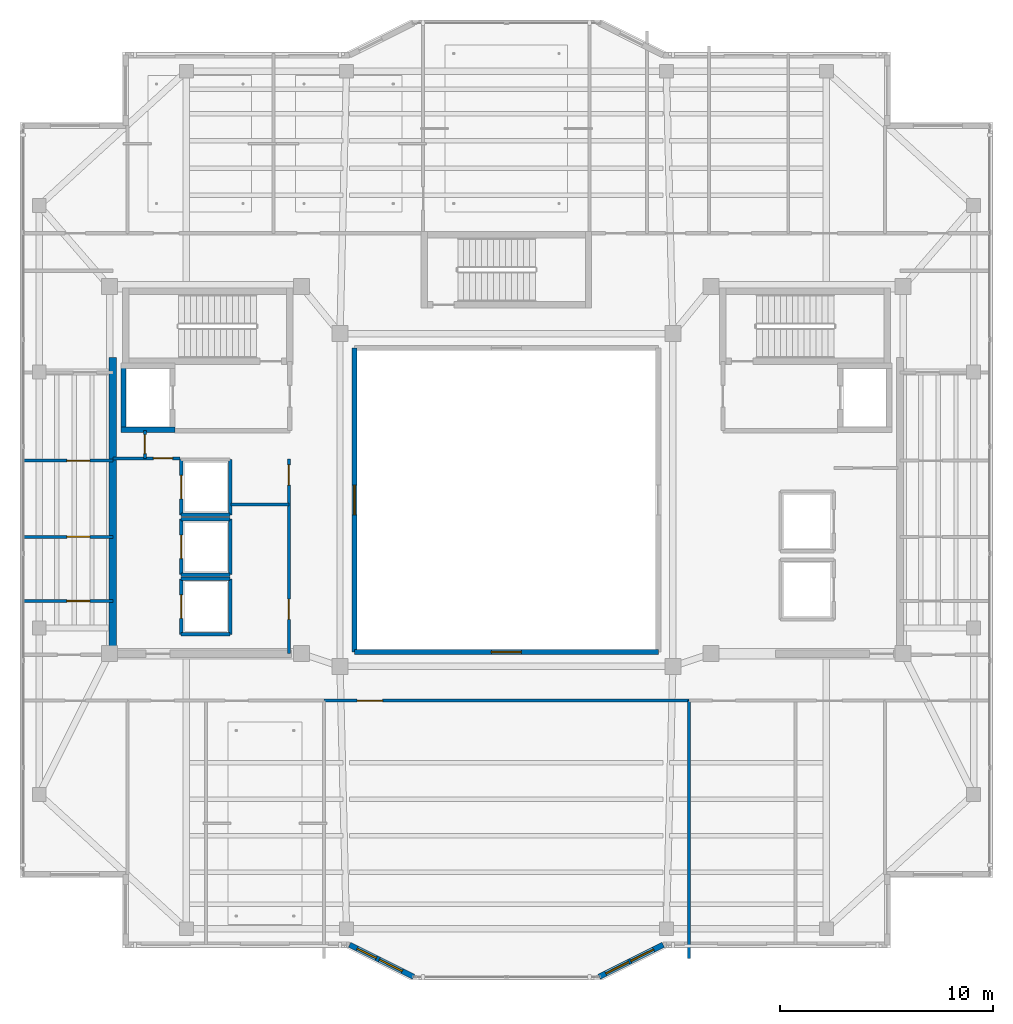
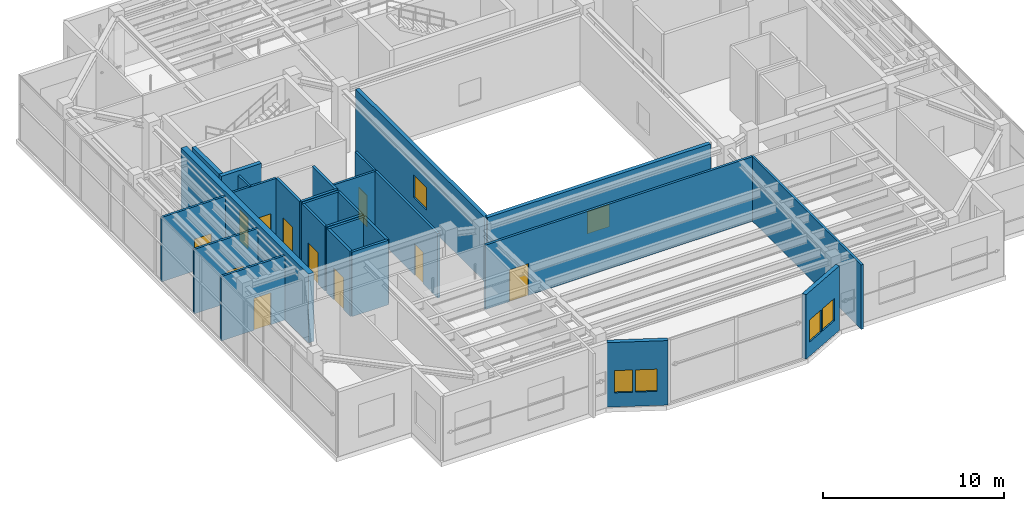
# One storey, part 14 of 25: 27 walls, 11 doors, 6 windows, 17 openings.
"""IFC4 building model written with IfcOpenShell, lengths in metres."""

from ifc_helpers import new_model, si_unit, direction, frame, frame_2d, origin, place, context, subcontext, project, spatial, rectangle, extrude, material, layer, layer_set, type_object, element, fill, save


model = new_model("IFC4")

# Units and contexts
model_context = context("Model", 3, precision=1e-05, world=origin(), true_north=direction((0.0, 1.0)))
body_context = subcontext(model_context, "Body", "Model", "MODEL_VIEW")
ifc_project = project(units=[si_unit("LENGTHUNIT", "METRE"), si_unit("AREAUNIT", "SQUARE_METRE"), si_unit("VOLUMEUNIT", "CUBIC_METRE"), si_unit("PLANEANGLEUNIT", "RADIAN"), si_unit("MASSUNIT", "GRAM", prefix="KILO")], contexts=[model_context])

# Site, building, storey
site_placement = place(None, origin())
site = spatial("IfcSite", under=ifc_project, at=site_placement, CompositionType="ELEMENT")
building_placement = place(site_placement, origin())
building = spatial("IfcBuilding", under=site, at=building_placement, Name="Tarnavaz Court Tower", CompositionType="ELEMENT")
storey_placement = place(building_placement, frame((0.0, 0.0, 271.64990234375)))
storey = spatial("IfcBuildingStorey", under=building, at=storey_placement, Name="L74", CompositionType="ELEMENT", Elevation=271.64990234375)

# Walls
ifc_material_1 = material(Name="Concrete C50/60", Category="concrete")
ifc_layer_1 = layer(ifc_material_1, 0.25)
ifc_layer_set_1 = layer_set([ifc_layer_1], Name="Concrete C50/60")
wall_type_1 = type_object("IfcWallType", Name="WL-CORE-250-C50", PredefinedType="SHEAR", material=ifc_layer_set_1)
wall_1_placement = place(storey_placement, frame((-17.949951171875, 3.175048828125, 0.0), z_axis=(0.0, 0.0, 1.0), x_axis=(0.0, 1.0, 0.0)))
element("IfcWall", 1, at=wall_1_placement, inside=storey, type_object=wall_type_1, Name="L74 Lift FL-W1 Shaft Wall 017", PredefinedType="SHEAR", context=body_context, shape_type="SweptSolid", body=[
    extrude(rectangle(XDim=3.25, YDim=0.25, at=frame_2d((1.625, 0.0))), origin(), (0.0, 0.0, 1.0), 4.650146484375),
])
wall_2_placement = place(storey_placement, frame((-18.074951171875, 3.300048828125, 0.0), z_axis=(0.0, 0.0, 1.0), x_axis=(1.0, 0.0, 0.0)))
element("IfcWall", 2, at=wall_2_placement, inside=storey, type_object=wall_type_1, Name="L74 Lift FL-W1 Shaft Wall 019", PredefinedType="SHEAR", context=body_context, shape_type="SweptSolid", body=[
    extrude(rectangle(XDim=2.550048828125, YDim=0.25, at=frame_2d((1.27490234375, 0.0))), origin(), (0.0, 0.0, 1.0), 4.650146484375),
])
ifc_layer_2 = layer(ifc_material_1, 0.35009765625)
ifc_layer_set_2 = layer_set([ifc_layer_2], Name="Concrete C50/60")
wall_type_2 = type_object("IfcWallType", Name="WL-CORE-350-C50", PredefinedType="SHEAR", material=ifc_layer_set_2)
wall_3_placement = place(storey_placement, frame((-18.449951171875, -7.375, 0.0), z_axis=(0.0, 0.0, 1.0), x_axis=(0.0, 1.0, 0.0)))
element("IfcWall", 3, at=wall_3_placement, inside=storey, type_object=wall_type_2, Name="L74 West Core Shear Wall 045", PredefinedType="SHEAR", context=body_context, shape_type="SweptSolid", body=[
    extrude(rectangle(XDim=14.050048828125, YDim=0.35009765625, at=frame_2d((7.02490234375, 0.0))), origin(), (0.0, 0.0, 1.0), 4.650146484375),
])

# Wall, openings, windows
ifc_material_2 = material(Name="Precast Concrete C40/50", Category="concrete")
ifc_layer_3 = layer(ifc_material_2, 0.260009765625)
ifc_layer_set_3 = layer_set([ifc_layer_3], Name="Precast Concrete C40/50")
wall_type_3 = type_object("IfcWallType", Name="WL-EXT-260", PredefinedType="SOLIDWALL", material=ifc_layer_set_3)
wall_4_placement = place(storey_placement, frame((7.35009765625, -20.85009765625, 0.0), z_axis=(0.0, 0.0, 1.0), x_axis=(-0.894427191, -0.4472135955, 0.0)))
wall_4 = element("IfcWall", 4, at=wall_4_placement, inside=storey, type_object=wall_type_3, Name="L74 Exterior Terracotta Facade Wall 16", PredefinedType="SOLIDWALL", context=body_context, shape_type="SweptSolid", body=[
    extrude(rectangle(XDim=3.35400390625, YDim=0.260009765625, at=frame_2d((1.677001953125, 0.0))), origin(), (0.0, 0.0, 1.0), 4.35009765625),
])
opening_1_placement = place(wall_4_placement, frame((0.501220703125, 0.0, 0.949951171875)))
opening_1 = element("IfcOpeningElement", 5, at=opening_1_placement, cuts=wall_4, Name="Opening W05", PredefinedType="OPENING", context=body_context, shape_type="SweptSolid", body=[
    extrude(rectangle(XDim=1.199951171875, YDim=1.5, at=frame_2d((0.60009765625, 0.75))), frame((0.0, 0.139892578125, 0.0), z_axis=(0.0, -1.0, 0.0), x_axis=(1.0, 0.0, 0.0)), (0.0, 0.0, 1.0), 0.280029296875),
])
opening_2_placement = place(wall_4_placement, frame((1.8076171875, 0.0, 0.949951171875)))
opening_2 = element("IfcOpeningElement", 6, at=opening_2_placement, cuts=wall_4, Name="Opening W05", PredefinedType="OPENING", context=body_context, shape_type="SweptSolid", body=[
    extrude(rectangle(XDim=1.199951171875, YDim=1.5, at=frame_2d((0.60009765625, 0.75))), frame((0.0, 0.139892578125, 0.0), z_axis=(0.0, -1.0, 0.0), x_axis=(1.0, 0.0, 0.0)), (0.0, 0.0, 1.0), 0.280029296875),
])
ifc_material_3 = material(Name="Double-Glazed Solar Low-E Glass", Category="glass")
window_type_1 = type_object("IfcWindowType", Name="WN-APT-1200", PartitioningType="SINGLE_PANEL", PredefinedType="WINDOW", material=ifc_material_3)
window_1_placement = place(opening_1_placement, origin())
window_1 = element("IfcWindow", 7, at=window_1_placement, inside=storey, type_object=window_type_1, Name="L74 L74 Central Iwan Cultural Exhibition Hall Window", OverallHeight=1.5, OverallWidth=1.199951171875, PartitioningType="SINGLE_PANEL", PredefinedType="WINDOW", context=body_context, shape_type="SweptSolid", body=[
    extrude(rectangle(XDim=1.199951171875, YDim=1.5, at=frame_2d((0.60009765625, 0.75))), frame((0.0, 0.030029296875, 0.0), z_axis=(0.0, -1.0, 0.0), x_axis=(1.0, 0.0, 0.0)), (0.0, 0.0, 1.0), 0.06005859375),
])
fill(opening_1, window_1)
window_2_placement = place(opening_2_placement, origin())
window_2 = element("IfcWindow", 8, at=window_2_placement, inside=storey, type_object=window_type_1, Name="L74 L74 South Iwan Lookout Prow Window", OverallHeight=1.5, OverallWidth=1.199951171875, PartitioningType="SINGLE_PANEL", PredefinedType="WINDOW", context=body_context, shape_type="SweptSolid", body=[
    extrude(rectangle(XDim=1.199951171875, YDim=1.5, at=frame_2d((0.60009765625, 0.75))), frame((0.0, 0.030029296875, 0.0), z_axis=(0.0, -1.0, 0.0), x_axis=(1.0, 0.0, 0.0)), (0.0, 0.0, 1.0), 0.06005859375),
])
fill(opening_2, window_2)

wall_5_placement = place(storey_placement, frame((-4.35009765625, -22.35009765625, 0.0), z_axis=(0.0, 0.0, 1.0), x_axis=(-0.894427191, 0.4472135955, 0.0)))
wall_5 = element("IfcWall", 9, at=wall_5_placement, inside=storey, type_object=wall_type_3, Name="L74 Exterior Terracotta Facade Wall 18", PredefinedType="SOLIDWALL", context=body_context, shape_type="SweptSolid", body=[
    extrude(rectangle(XDim=3.35400390625, YDim=0.260009765625, at=frame_2d((1.677001953125, 0.0))), origin(), (0.0, 0.0, 1.0), 4.35009765625),
])
opening_3_placement = place(wall_5_placement, frame((0.596435546875, 0.0, 0.949951171875)))
opening_3 = element("IfcOpeningElement", 10, at=opening_3_placement, cuts=wall_5, Name="Opening W05", PredefinedType="OPENING", context=body_context, shape_type="SweptSolid", body=[
    extrude(rectangle(XDim=1.199951171875, YDim=1.5, at=frame_2d((0.60009765625, 0.75))), frame((0.0, 0.139892578125, 0.0), z_axis=(0.0, -1.0, 0.0), x_axis=(1.0, 0.0, 0.0)), (0.0, 0.0, 1.0), 0.280029296875),
])
opening_4_placement = place(wall_5_placement, frame((1.955322265625, 0.0, 0.949951171875)))
opening_4 = element("IfcOpeningElement", 11, at=opening_4_placement, cuts=wall_5, Name="Opening W14", PredefinedType="OPENING", context=body_context, shape_type="SweptSolid", body=[
    extrude(rectangle(XDim=1.0, YDim=1.5, at=frame_2d((0.5, 0.75))), frame((0.0, 0.139892578125, 0.0), z_axis=(0.0, -1.0, 0.0), x_axis=(1.0, 0.0, 0.0)), (0.0, 0.0, 1.0), 0.280029296875),
])
window_type_2 = type_object("IfcWindowType", Name="WN-APT-1000", PartitioningType="SINGLE_PANEL", PredefinedType="WINDOW", material=ifc_material_3)
window_3_placement = place(opening_4_placement, origin())
window_3 = element("IfcWindow", 12, at=window_3_placement, inside=storey, type_object=window_type_2, Name="L74 L74 Central Iwan Cultural Exhibition Hall Window", OverallHeight=1.5, OverallWidth=1.0, PartitioningType="SINGLE_PANEL", PredefinedType="WINDOW", context=body_context, shape_type="SweptSolid", body=[
    extrude(rectangle(XDim=1.0, YDim=1.5, at=frame_2d((0.5, 0.75))), frame((0.0, 0.030029296875, 0.0), z_axis=(0.0, -1.0, 0.0), x_axis=(1.0, 0.0, 0.0)), (0.0, 0.0, 1.0), 0.06005859375),
])
fill(opening_4, window_3)
window_4_placement = place(opening_3_placement, origin())
window_4 = element("IfcWindow", 13, at=window_4_placement, inside=storey, type_object=window_type_1, Name="L74 L74 South Iwan Lookout Prow Window", OverallHeight=1.5, OverallWidth=1.199951171875, PartitioningType="SINGLE_PANEL", PredefinedType="WINDOW", context=body_context, shape_type="SweptSolid", body=[
    extrude(rectangle(XDim=1.199951171875, YDim=1.5, at=frame_2d((0.60009765625, 0.75))), frame((0.0, 0.030029296875, 0.0), z_axis=(0.0, -1.0, 0.0), x_axis=(1.0, 0.0, 0.0)), (0.0, 0.0, 1.0), 0.06005859375),
])
fill(opening_3, window_4)

# Wall, opening, door
ifc_material_4 = material(Name="Gypsum Fire-Board on Acoustic Metal Stud", Category="masonry")
ifc_layer_4 = layer(ifc_material_4, 0.14990234375)
ifc_layer_set_4 = layer_set([ifc_layer_4], Name="Gypsum Fire-Board on Acoustic Metal Stud")
wall_type_4 = type_object("IfcWallType", Name="WL-FIRE-150", PredefinedType="PARTITIONING", material=ifc_layer_set_4)
wall_6_placement = place(storey_placement, frame((-8.550048828125, -9.39990234375, 0.0), z_axis=(0.0, 0.0, 1.0), x_axis=(1.0, 0.0, 0.0)))
wall_6 = element("IfcWall", 14, at=wall_6_placement, inside=storey, type_object=wall_type_4, Name="L74 Interior Partition 068", PredefinedType="PARTITIONING", context=body_context, shape_type="SweptSolid", body=[
    extrude(rectangle(XDim=17.10009765625, YDim=0.14990234375, at=frame_2d((8.550048828125, 0.0))), origin(), (0.0, 0.0, 1.0), 4.35009765625),
])
opening_5_placement = place(wall_6_placement, frame((1.550048828125, 0.0, 0.0)))
opening_5 = element("IfcOpeningElement", 15, at=opening_5_placement, cuts=wall_6, Name="Opening D11", PredefinedType="OPENING", context=body_context, shape_type="SweptSolid", body=[
    extrude(rectangle(XDim=1.199951171875, YDim=2.14990234375, at=frame_2d((0.60009765625, 1.074951171875))), frame((0.0, 0.0849609375, 0.0), z_axis=(0.0, -1.0, 0.0), x_axis=(1.0, 0.0, 0.0)), (0.0, 0.0, 1.0), 0.169921875),
])
ifc_material_5 = material(Name="Engineered Oak Timber", Category="wood")
door_type_1 = type_object("IfcDoorType", Name="DR-INT-1200", OperationType="NOTDEFINED", PredefinedType="DOOR", material=ifc_material_5)
door_1_placement = place(opening_5_placement, origin())
door_1 = element("IfcDoor", 16, at=door_1_placement, inside=storey, type_object=door_type_1, Name="L74 Central Iwan Hall Door", OperationType="SINGLE_SWING_LEFT", OverallHeight=2.14990234375, OverallWidth=1.199951171875, PredefinedType="DOOR", context=body_context, shape_type="SweptSolid", body=[
    extrude(rectangle(XDim=1.199951171875, YDim=2.14990234375, at=frame_2d((0.60009765625, 1.074951171875))), frame((0.0, 0.02490234375, 0.0), z_axis=(0.0, -1.0, 0.0), x_axis=(1.0, 0.0, 0.0)), (0.0, 0.0, 1.0), 0.050048828125),
])
fill(opening_5, door_1)

ifc_material_6 = material(Name="Gypsum Plasterboard Acoustic Partition", Category="masonry")
ifc_layer_5 = layer(ifc_material_6, 0.139892578125)
ifc_layer_set_5 = layer_set([ifc_layer_5], Name="Gypsum Plasterboard Acoustic Partition")
wall_type_5 = type_object("IfcWallType", Name="WL-PART-150", PredefinedType="PARTITIONING", material=ifc_layer_set_5)
wall_7_placement = place(storey_placement, frame((-18.449951171875, 1.949951171875, 0.0), z_axis=(0.0, 0.0, 1.0), x_axis=(1.0, 0.0, 0.0)))
wall_7 = element("IfcWall", 17, at=wall_7_placement, inside=storey, type_object=wall_type_5, Name="L74 Interior Partition 049", PredefinedType="PARTITIONING", context=body_context, shape_type="SweptSolid", body=[
    extrude(rectangle(XDim=3.14990234375, YDim=0.139892578125, at=frame_2d((1.574951171875, 0.0))), origin(), (0.0, 0.0, 1.0), 4.35009765625),
])
opening_6_placement = place(wall_7_placement, frame((1.89990234375, 0.0, 0.0)))
opening_6 = element("IfcOpeningElement", 18, at=opening_6_placement, cuts=wall_7, Name="Opening D09", PredefinedType="OPENING", context=body_context, shape_type="SweptSolid", body=[
    extrude(rectangle(XDim=0.89990234375, YDim=2.080078125, at=frame_2d((0.449951171875, 1.0400390625))), frame((0.0, 0.079833984375, 0.0), z_axis=(0.0, -1.0, 0.0), x_axis=(1.0, 0.0, 0.0)), (0.0, 0.0, 1.0), 0.159912109375),
])
ifc_material_7 = material(Name="Fire-Rated Hardwood Timber Core", Category="wood")
door_type_2 = type_object("IfcDoorType", Name="DR-FD30-900", OperationType="NOTDEFINED", PredefinedType="DOOR", material=ifc_material_7)
door_2_placement = place(opening_6_placement, origin())
door_2 = element("IfcDoor", 19, at=door_2_placement, inside=storey, type_object=door_type_2, Name="L74 West Sky Store Door", OperationType="SINGLE_SWING_RIGHT", OverallHeight=2.080078125, OverallWidth=0.89990234375, PredefinedType="DOOR", context=body_context, shape_type="SweptSolid", body=[
    extrude(rectangle(XDim=0.89990234375, YDim=2.080078125, at=frame_2d((0.449951171875, 1.0400390625))), frame((0.0, 0.02490234375, 0.0), z_axis=(0.0, -1.0, 0.0), x_axis=(1.0, 0.0, 0.0)), (0.0, 0.0, 1.0), 0.050048828125),
])
fill(opening_6, door_2)

wall_8_placement = place(storey_placement, frame((-16.949951171875, 1.949951171875, 0.0), z_axis=(0.0, 0.0, 1.0), x_axis=(0.0, 1.0, 0.0)))
wall_8 = element("IfcWall", 20, at=wall_8_placement, inside=storey, type_object=wall_type_5, Name="L74 Interior Partition 050", PredefinedType="PARTITIONING", context=body_context, shape_type="SweptSolid", body=[
    extrude(rectangle(XDim=1.300048828125, YDim=0.139892578125, at=frame_2d((0.64990234375, 0.0))), origin(), (0.0, 0.0, 1.0), 4.35009765625),
])
opening_7_placement = place(wall_8_placement, frame((0.219970703125, 0.0, 0.0)))
opening_7 = element("IfcOpeningElement", 21, at=opening_7_placement, cuts=wall_8, Name="Opening D09", PredefinedType="OPENING", context=body_context, shape_type="SweptSolid", body=[
    extrude(rectangle(XDim=0.89990234375, YDim=2.080078125, at=frame_2d((0.449951171875, 1.0400390625))), frame((0.0, 0.079833984375, 0.0), z_axis=(0.0, -1.0, 0.0), x_axis=(1.0, 0.0, 0.0)), (0.0, 0.0, 1.0), 0.159912109375),
])
door_3_placement = place(opening_7_placement, origin())
door_3 = element("IfcDoor", 22, at=door_3_placement, inside=storey, type_object=door_type_2, Name="L74 West Sky BMS Room Door", OperationType="SINGLE_SWING_LEFT", OverallHeight=2.080078125, OverallWidth=0.89990234375, PredefinedType="DOOR", context=body_context, shape_type="SweptSolid", body=[
    extrude(rectangle(XDim=0.89990234375, YDim=2.080078125, at=frame_2d((0.449951171875, 1.0400390625))), frame((0.0, 0.02490234375, 0.0), z_axis=(0.0, -1.0, 0.0), x_axis=(1.0, 0.0, 0.0)), (0.0, 0.0, 1.0), 0.050048828125),
])
fill(opening_7, door_3)

# Wall, openings, doors
wall_9_placement = place(storey_placement, frame((-10.199951171875, -7.199951171875, 0.0), z_axis=(0.0, 0.0, 1.0), x_axis=(0.0, 1.0, 0.0)))
wall_9 = element("IfcWall", 23, at=wall_9_placement, inside=storey, type_object=wall_type_5, Name="L74 West Reclaimed Core Wall 051", PredefinedType="PARTITIONING", context=body_context, shape_type="SweptSolid", body=[
    extrude(rectangle(XDim=9.119873046875, YDim=0.139892578125, at=frame_2d((4.56005859375, 0.0))), origin(), (0.0, 0.0, 1.0), 4.35009765625),
])
opening_8_placement = place(wall_9_placement, frame((1.60009765625, 0.0, 0.0)))
opening_8 = element("IfcOpeningElement", 24, at=opening_8_placement, cuts=wall_9, Name="Opening D08", PredefinedType="OPENING", context=body_context, shape_type="SweptSolid", body=[
    extrude(rectangle(XDim=0.949951171875, YDim=2.1201171875, at=frame_2d((0.47509765625, 1.06005859375))), frame((0.0, 0.079833984375, 0.0), z_axis=(0.0, -1.0, 0.0), x_axis=(1.0, 0.0, 0.0)), (0.0, 0.0, 1.0), 0.159912109375),
])
opening_9_placement = place(wall_9_placement, frame((7.89990234375, 0.0, 0.0)))
opening_9 = element("IfcOpeningElement", 25, at=opening_9_placement, cuts=wall_9, Name="Opening D08", PredefinedType="OPENING", context=body_context, shape_type="SweptSolid", body=[
    extrude(rectangle(XDim=0.949951171875, YDim=2.1201171875, at=frame_2d((0.47509765625, 1.06005859375))), frame((0.0, 0.079833984375, 0.0), z_axis=(0.0, -1.0, 0.0), x_axis=(1.0, 0.0, 0.0)), (0.0, 0.0, 1.0), 0.159912109375),
])
door_type_3 = type_object("IfcDoorType", Name="DR-FD30-950", OperationType="NOTDEFINED", PredefinedType="DOOR", material=ifc_material_7)
door_4_placement = place(opening_8_placement, origin())
door_4 = element("IfcDoor", 26, at=door_4_placement, inside=storey, type_object=door_type_3, Name="L74 West Study Room Door", OperationType="SINGLE_SWING_RIGHT", OverallHeight=2.1201171875, OverallWidth=0.949951171875, PredefinedType="DOOR", context=body_context, shape_type="SweptSolid", body=[
    extrude(rectangle(XDim=0.949951171875, YDim=2.1201171875, at=frame_2d((0.47509765625, 1.06005859375))), frame((0.0, 0.02490234375, 0.0), z_axis=(0.0, -1.0, 0.0), x_axis=(1.0, 0.0, 0.0)), (0.0, 0.0, 1.0), 0.050048828125),
])
fill(opening_8, door_4)
door_5_placement = place(opening_9_placement, origin())
door_5 = element("IfcDoor", 27, at=door_5_placement, inside=storey, type_object=door_type_3, Name="L74 West Laundry Room Door", OperationType="SINGLE_SWING_LEFT", OverallHeight=2.1201171875, OverallWidth=0.949951171875, PredefinedType="DOOR", context=body_context, shape_type="SweptSolid", body=[
    extrude(rectangle(XDim=0.949951171875, YDim=2.1201171875, at=frame_2d((0.47509765625, 1.06005859375))), frame((0.0, 0.02490234375, 0.0), z_axis=(0.0, -1.0, 0.0), x_axis=(1.0, 0.0, 0.0)), (0.0, 0.0, 1.0), 0.050048828125),
])
fill(opening_9, door_5)

# Walls
wall_10_placement = place(storey_placement, frame((-12.89990234375, -0.199951171875, 0.0), z_axis=(0.0, 0.0, 1.0), x_axis=(1.0, 0.0, 0.0)))
element("IfcWall", 28, at=wall_10_placement, inside=storey, type_object=wall_type_5, Name="L74 Interior Partition 052", PredefinedType="PARTITIONING", context=body_context, shape_type="SweptSolid", body=[
    extrude(rectangle(XDim=2.699951171875, YDim=0.139892578125, at=frame_2d((1.35009765625, 0.0))), origin(), (0.0, 0.0, 1.0), 4.35009765625),
])
wall_11_placement = place(storey_placement, frame((8.550048828125, -21.50390625, 0.0), z_axis=(0.0, 0.0, 1.0), x_axis=(0.0, 1.0, 0.0)))
element("IfcWall", 29, at=wall_11_placement, inside=storey, type_object=wall_type_5, Name="L74 Interior Partition 066", PredefinedType="PARTITIONING", context=body_context, shape_type="SweptSolid", body=[
    extrude(rectangle(XDim=12.10400390625, YDim=0.139892578125, at=frame_2d((6.052001953125, 0.0))), origin(), (0.0, 0.0, 1.0), 4.35009765625),
])

# Wall, opening, door
wall_12_placement = place(storey_placement, frame((-22.679931640625, -4.73291015625, 0.0), z_axis=(0.0, 0.0, 1.0), x_axis=(1.0, 0.0, 0.0)))
wall_12 = element("IfcWall", 30, at=wall_12_placement, inside=storey, type_object=wall_type_5, Name="L74 Interior Partition 081", PredefinedType="PARTITIONING", context=body_context, shape_type="SweptSolid", body=[
    extrude(rectangle(XDim=4.22998046875, YDim=0.139892578125, at=frame_2d((2.114990234375, 0.0))), origin(), (0.0, 0.0, 1.0), 4.35009765625),
])
opening_10_placement = place(wall_12_placement, frame((2.080078125, 0.0, 0.0)))
opening_10 = element("IfcOpeningElement", 31, at=opening_10_placement, cuts=wall_12, Name="Opening D12", PredefinedType="OPENING", context=body_context, shape_type="SweptSolid", body=[
    extrude(rectangle(XDim=1.080078125, YDim=2.14990234375, at=frame_2d((0.5400390625, 1.074951171875))), frame((0.0, 0.079833984375, 0.0), z_axis=(0.0, -1.0, 0.0), x_axis=(1.0, 0.0, 0.0)), (0.0, 0.0, 1.0), 0.159912109375),
])
door_type_4 = type_object("IfcDoorType", Name="DR-INT-1100", OperationType="NOTDEFINED", PredefinedType="DOOR", material=ifc_material_5)
door_6_placement = place(opening_10_placement, origin())
door_6 = element("IfcDoor", 32, at=door_6_placement, inside=storey, type_object=door_type_4, Name="L74 West Suite Room 2 Door", OperationType="SINGLE_SWING_LEFT", OverallHeight=2.14990234375, OverallWidth=1.080078125, PredefinedType="DOOR", context=body_context, shape_type="SweptSolid", body=[
    extrude(rectangle(XDim=1.080078125, YDim=2.14990234375, at=frame_2d((0.5400390625, 1.074951171875))), frame((0.0, 0.02490234375, 0.0), z_axis=(0.0, -1.0, 0.0), x_axis=(1.0, 0.0, 0.0)), (0.0, 0.0, 1.0), 0.050048828125),
])
fill(opening_10, door_6)

wall_13_placement = place(storey_placement, frame((-22.679931640625, -1.72412109375, 0.0), z_axis=(0.0, 0.0, 1.0), x_axis=(1.0, 0.0, 0.0)))
wall_13 = element("IfcWall", 33, at=wall_13_placement, inside=storey, type_object=wall_type_5, Name="L74 Interior Partition 082", PredefinedType="PARTITIONING", context=body_context, shape_type="SweptSolid", body=[
    extrude(rectangle(XDim=4.22998046875, YDim=0.139892578125, at=frame_2d((2.114990234375, 0.0))), origin(), (0.0, 0.0, 1.0), 4.35009765625),
])
opening_11_placement = place(wall_13_placement, frame((2.080078125, 0.0, 0.0)))
opening_11 = element("IfcOpeningElement", 34, at=opening_11_placement, cuts=wall_13, Name="Opening D12", PredefinedType="OPENING", context=body_context, shape_type="SweptSolid", body=[
    extrude(rectangle(XDim=1.080078125, YDim=2.14990234375, at=frame_2d((0.5400390625, 1.074951171875))), frame((0.0, 0.079833984375, 0.0), z_axis=(0.0, -1.0, 0.0), x_axis=(1.0, 0.0, 0.0)), (0.0, 0.0, 1.0), 0.159912109375),
])
door_7_placement = place(opening_11_placement, origin())
door_7 = element("IfcDoor", 35, at=door_7_placement, inside=storey, type_object=door_type_4, Name="L74 West Suite Room 3 Door", OperationType="SINGLE_SWING_RIGHT", OverallHeight=2.14990234375, OverallWidth=1.080078125, PredefinedType="DOOR", context=body_context, shape_type="SweptSolid", body=[
    extrude(rectangle(XDim=1.080078125, YDim=2.14990234375, at=frame_2d((0.5400390625, 1.074951171875))), frame((0.0, 0.02490234375, 0.0), z_axis=(0.0, -1.0, 0.0), x_axis=(1.0, 0.0, 0.0)), (0.0, 0.0, 1.0), 0.050048828125),
])
fill(opening_11, door_7)

wall_14_placement = place(storey_placement, frame((-22.679931640625, 1.847900390625, 0.0), z_axis=(0.0, 0.0, 1.0), x_axis=(1.0, 0.0, 0.0)))
wall_14 = element("IfcWall", 36, at=wall_14_placement, inside=storey, type_object=wall_type_5, Name="L74 Interior Partition 083", PredefinedType="PARTITIONING", context=body_context, shape_type="SweptSolid", body=[
    extrude(rectangle(XDim=4.22998046875, YDim=0.139892578125, at=frame_2d((2.114990234375, 0.0))), origin(), (0.0, 0.0, 1.0), 4.35009765625),
])
opening_12_placement = place(wall_14_placement, frame((2.080078125, 0.0, 0.0)))
opening_12 = element("IfcOpeningElement", 37, at=opening_12_placement, cuts=wall_14, Name="Opening D12", PredefinedType="OPENING", context=body_context, shape_type="SweptSolid", body=[
    extrude(rectangle(XDim=1.080078125, YDim=2.14990234375, at=frame_2d((0.5400390625, 1.074951171875))), frame((0.0, 0.079833984375, 0.0), z_axis=(0.0, -1.0, 0.0), x_axis=(1.0, 0.0, 0.0)), (0.0, 0.0, 1.0), 0.159912109375),
])
door_8_placement = place(opening_12_placement, origin())
door_8 = element("IfcDoor", 38, at=door_8_placement, inside=storey, type_object=door_type_4, Name="L74 West Suite Room 4 Door", OperationType="SINGLE_SWING_LEFT", OverallHeight=2.14990234375, OverallWidth=1.080078125, PredefinedType="DOOR", context=body_context, shape_type="SweptSolid", body=[
    extrude(rectangle(XDim=1.080078125, YDim=2.14990234375, at=frame_2d((0.5400390625, 1.074951171875))), frame((0.0, 0.02490234375, 0.0), z_axis=(0.0, -1.0, 0.0), x_axis=(1.0, 0.0, 0.0)), (0.0, 0.0, 1.0), 0.050048828125),
])
fill(opening_12, door_8)

ifc_material_8 = material(Name="Autoclaved Aerated Concrete Blockwork", Category="masonry")
ifc_layer_6 = layer(ifc_material_8, 0.159912109375)
ifc_layer_set_6 = layer_set([ifc_layer_6], Name="Autoclaved Aerated Concrete Blockwork")
wall_type_6 = type_object("IfcWallType", Name="WL-SHAFT-150", PredefinedType="SOLIDWALL", material=ifc_layer_set_6)
wall_15_placement = place(storey_placement, frame((-15.25, -6.300048828125, 0.0), z_axis=(0.0, 0.0, 1.0), x_axis=(0.0, 1.0, 0.0)))
wall_15 = element("IfcWall", 39, at=wall_15_placement, inside=storey, type_object=wall_type_6, Name="L74 Lift PL-H1 Shaft Wall 021", PredefinedType="SOLIDWALL", context=body_context, shape_type="SweptSolid", body=[
    extrude(rectangle(XDim=2.60009765625, YDim=0.159912109375, at=frame_2d((1.300048828125, 0.0))), origin(), (0.0, 0.0, 1.0), 4.35009765625),
])
opening_13_placement = place(wall_15_placement, frame((0.75, 0.0, 0.0)))
opening_13 = element("IfcOpeningElement", 40, at=opening_13_placement, cuts=wall_15, Name="Opening LD1", PredefinedType="OPENING", context=body_context, shape_type="SweptSolid", body=[
    extrude(rectangle(XDim=1.10009765625, YDim=2.14990234375, at=frame_2d((0.550048828125, 1.074951171875))), frame((0.0, 0.08984375, 0.0), z_axis=(0.0, -1.0, 0.0), x_axis=(1.0, 0.0, 0.0)), (0.0, 0.0, 1.0), 0.179931640625),
])
ifc_material_9 = material(Name="Stainless Steel", Category="steel")
door_type_5 = type_object("IfcDoorType", Name="DR-LD-1100", OperationType="NOTDEFINED", PredefinedType="DOOR", material=ifc_material_9)
door_9_placement = place(opening_13_placement, origin())
door_9 = element("IfcDoor", 41, at=door_9_placement, inside=storey, type_object=door_type_5, Name="L74 Lift Landing Door LD-PL-H1", OperationType="SLIDING_TO_LEFT", OverallHeight=2.14990234375, OverallWidth=1.10009765625, PredefinedType="DOOR", context=body_context, shape_type="SweptSolid", body=[
    extrude(rectangle(XDim=1.10009765625, YDim=2.14990234375, at=frame_2d((0.550048828125, 1.074951171875))), frame((0.0, 0.02490234375, 0.0), z_axis=(0.0, -1.0, 0.0), x_axis=(1.0, 0.0, 0.0)), (0.0, 0.0, 1.0), 0.050048828125),
])
fill(opening_13, door_9)

# Walls
wall_16_placement = place(storey_placement, frame((-12.949951171875, -6.300048828125, 0.0), z_axis=(0.0, 0.0, 1.0), x_axis=(0.0, 1.0, 0.0)))
element("IfcWall", 42, at=wall_16_placement, inside=storey, type_object=wall_type_6, Name="L74 Lift PL-H1 Shaft Wall 022", PredefinedType="SOLIDWALL", context=body_context, shape_type="SweptSolid", body=[
    extrude(rectangle(XDim=2.60009765625, YDim=0.159912109375, at=frame_2d((1.300048828125, 0.0))), origin(), (0.0, 0.0, 1.0), 4.35009765625),
])
for number, where, z_axis, x_axis, name in (
    (43, (-15.25, -6.300048828125, 0.0), (0.0, 0.0, 1.0), (1.0, 0.0, 0.0), "L74 Lift PL-H1 Shaft Wall 023"),
    (44, (-15.25, -3.699951171875, 0.0), (0.0, 0.0, 1.0), (1.0, 0.0, 0.0), "L74 Lift PL-H1 Shaft Wall 024"),
):
    element("IfcWall", number, at=place(storey_placement, frame(where, z_axis=z_axis, x_axis=x_axis)), inside=storey, type_object=wall_type_6, Name=name, PredefinedType="SOLIDWALL", context=body_context, shape_type="SweptSolid", body=[
        extrude(rectangle(XDim=2.300048828125, YDim=0.159912109375, at=frame_2d((1.14990234375, 0.0))), origin(), (0.0, 0.0, 1.0), 4.35009765625),
    ])

# Wall, opening, door
wall_17_placement = place(storey_placement, frame((-15.25, -3.5, 0.0), z_axis=(0.0, 0.0, 1.0), x_axis=(0.0, 1.0, 0.0)))
wall_17 = element("IfcWall", 45, at=wall_17_placement, inside=storey, type_object=wall_type_6, Name="L74 Lift PL-H2 Shaft Wall 025", PredefinedType="SOLIDWALL", context=body_context, shape_type="SweptSolid", body=[
    extrude(rectangle(XDim=2.60009765625, YDim=0.159912109375, at=frame_2d((1.300048828125, 0.0))), origin(), (0.0, 0.0, 1.0), 4.35009765625),
])
opening_14_placement = place(wall_17_placement, frame((0.75, 0.0, 0.0)))
opening_14 = element("IfcOpeningElement", 46, at=opening_14_placement, cuts=wall_17, Name="Opening LD1", PredefinedType="OPENING", context=body_context, shape_type="SweptSolid", body=[
    extrude(rectangle(XDim=1.10009765625, YDim=2.14990234375, at=frame_2d((0.550048828125, 1.074951171875))), frame((0.0, 0.08984375, 0.0), z_axis=(0.0, -1.0, 0.0), x_axis=(1.0, 0.0, 0.0)), (0.0, 0.0, 1.0), 0.179931640625),
])
door_10_placement = place(opening_14_placement, origin())
door_10 = element("IfcDoor", 47, at=door_10_placement, inside=storey, type_object=door_type_5, Name="L74 Lift Landing Door LD-PL-H2", OperationType="SLIDING_TO_LEFT", OverallHeight=2.14990234375, OverallWidth=1.10009765625, PredefinedType="DOOR", context=body_context, shape_type="SweptSolid", body=[
    extrude(rectangle(XDim=1.10009765625, YDim=2.14990234375, at=frame_2d((0.550048828125, 1.074951171875))), frame((0.0, 0.02490234375, 0.0), z_axis=(0.0, -1.0, 0.0), x_axis=(1.0, 0.0, 0.0)), (0.0, 0.0, 1.0), 0.050048828125),
])
fill(opening_14, door_10)

# Walls
wall_18_placement = place(storey_placement, frame((-12.949951171875, -3.5, 0.0), z_axis=(0.0, 0.0, 1.0), x_axis=(0.0, 1.0, 0.0)))
element("IfcWall", 48, at=wall_18_placement, inside=storey, type_object=wall_type_6, Name="L74 Lift PL-H2 Shaft Wall 026", PredefinedType="SOLIDWALL", context=body_context, shape_type="SweptSolid", body=[
    extrude(rectangle(XDim=2.60009765625, YDim=0.159912109375, at=frame_2d((1.300048828125, 0.0))), origin(), (0.0, 0.0, 1.0), 4.35009765625),
])
for number, where, z_axis, x_axis, name in (
    (49, (-15.25, -3.5, 0.0), (0.0, 0.0, 1.0), (1.0, 0.0, 0.0), "L74 Lift PL-H2 Shaft Wall 027"),
    (50, (-15.25, -0.89990234375, 0.0), (0.0, 0.0, 1.0), (1.0, 0.0, 0.0), "L74 Lift PL-H2 Shaft Wall 028"),
):
    element("IfcWall", number, at=place(storey_placement, frame(where, z_axis=z_axis, x_axis=x_axis)), inside=storey, type_object=wall_type_6, Name=name, PredefinedType="SOLIDWALL", context=body_context, shape_type="SweptSolid", body=[
        extrude(rectangle(XDim=2.300048828125, YDim=0.159912109375, at=frame_2d((1.14990234375, 0.0))), origin(), (0.0, 0.0, 1.0), 4.35009765625),
    ])

# Wall, opening, door
wall_19_placement = place(storey_placement, frame((-15.25, -0.699951171875, 0.0), z_axis=(0.0, 0.0, 1.0), x_axis=(0.0, 1.0, 0.0)))
wall_19 = element("IfcWall", 51, at=wall_19_placement, inside=storey, type_object=wall_type_6, Name="L74 Lift PL-H3 Shaft Wall 029", PredefinedType="SOLIDWALL", context=body_context, shape_type="SweptSolid", body=[
    extrude(rectangle(XDim=2.599853515625, YDim=0.159912109375, at=frame_2d((1.2998046875, 0.0))), origin(), (0.0, 0.0, 1.0), 4.35009765625),
])
opening_15_placement = place(wall_19_placement, frame((0.75, 0.0, 0.0)))
opening_15 = element("IfcOpeningElement", 52, at=opening_15_placement, cuts=wall_19, Name="Opening LD1", PredefinedType="OPENING", context=body_context, shape_type="SweptSolid", body=[
    extrude(rectangle(XDim=1.10009765625, YDim=2.14990234375, at=frame_2d((0.550048828125, 1.074951171875))), frame((0.0, 0.08984375, 0.0), z_axis=(0.0, -1.0, 0.0), x_axis=(1.0, 0.0, 0.0)), (0.0, 0.0, 1.0), 0.179931640625),
])
door_11_placement = place(opening_15_placement, origin())
door_11 = element("IfcDoor", 53, at=door_11_placement, inside=storey, type_object=door_type_5, Name="L74 Lift Landing Door LD-PL-H3", OperationType="SLIDING_TO_LEFT", OverallHeight=2.14990234375, OverallWidth=1.10009765625, PredefinedType="DOOR", context=body_context, shape_type="SweptSolid", body=[
    extrude(rectangle(XDim=1.10009765625, YDim=2.14990234375, at=frame_2d((0.550048828125, 1.074951171875))), frame((0.0, 0.02490234375, 0.0), z_axis=(0.0, -1.0, 0.0), x_axis=(1.0, 0.0, 0.0)), (0.0, 0.0, 1.0), 0.050048828125),
])
fill(opening_15, door_11)

# Walls
wall_20_placement = place(storey_placement, frame((-12.949951171875, -0.699951171875, 0.0), z_axis=(0.0, 0.0, 1.0), x_axis=(0.0, 1.0, 0.0)))
element("IfcWall", 54, at=wall_20_placement, inside=storey, type_object=wall_type_6, Name="L74 Lift PL-H3 Shaft Wall 030", PredefinedType="SOLIDWALL", context=body_context, shape_type="SweptSolid", body=[
    extrude(rectangle(XDim=2.599853515625, YDim=0.159912109375, at=frame_2d((1.2998046875, 0.0))), origin(), (0.0, 0.0, 1.0), 4.35009765625),
])
wall_21_placement = place(storey_placement, frame((-15.25, -0.699951171875, 0.0), z_axis=(0.0, 0.0, 1.0), x_axis=(1.0, 0.0, 0.0)))
element("IfcWall", 55, at=wall_21_placement, inside=storey, type_object=wall_type_6, Name="L74 Lift PL-H3 Shaft Wall 031", PredefinedType="SOLIDWALL", context=body_context, shape_type="SweptSolid", body=[
    extrude(rectangle(XDim=2.300048828125, YDim=0.159912109375, at=frame_2d((1.14990234375, 0.0))), origin(), (0.0, 0.0, 1.0), 4.35009765625),
])

# Wall, opening, window
ifc_layer_7 = layer(ifc_material_2, 0.239990234375)
ifc_layer_set_7 = layer_set([ifc_layer_7], Name="Precast Concrete C40/50")
wall_type_7 = type_object("IfcWallType", Name="WL-WELL-240", PredefinedType="SOLIDWALL", material=ifc_layer_set_7)
wall_22_placement = place(storey_placement, frame((-7.1201171875, -7.1201171875, 0.0), z_axis=(0.0, 0.0, 1.0), x_axis=(1.0, 0.0, 0.0)))
wall_22 = element("IfcWall", 56, at=wall_22_placement, inside=storey, type_object=wall_type_7, Name="L74 Badgir Light-Well Exterior Wall S", PredefinedType="SOLIDWALL", context=body_context, shape_type="SweptSolid", body=[
    extrude(rectangle(XDim=14.240234375, YDim=0.239990234375, at=frame_2d((7.1201171875, 0.0))), origin(), (0.0, 0.0, 1.0), 4.35009765625),
])
opening_16_placement = place(wall_22_placement, frame((6.419921875, 0.0, 0.949951171875)))
opening_16 = element("IfcOpeningElement", 57, at=opening_16_placement, cuts=wall_22, Name="Opening W13", PredefinedType="OPENING", context=body_context, shape_type="SweptSolid", body=[
    extrude(rectangle(XDim=1.39990234375, YDim=1.5, at=frame_2d((0.699951171875, 0.75))), frame((0.0, 0.1298828125, 0.0), z_axis=(0.0, -1.0, 0.0), x_axis=(1.0, 0.0, 0.0)), (0.0, 0.0, 1.0), 0.260009765625),
])
window_type_3 = type_object("IfcWindowType", Name="WN-WEL-1400", PartitioningType="SINGLE_PANEL", PredefinedType="WINDOW", material=ifc_material_3)
window_5_placement = place(opening_16_placement, origin())
window_5 = element("IfcWindow", 58, at=window_5_placement, inside=storey, type_object=window_type_3, Name="L74 Courtyard Gallery Window S", OverallHeight=1.5, OverallWidth=1.39990234375, PartitioningType="SINGLE_PANEL", PredefinedType="WINDOW", context=body_context, shape_type="SweptSolid", body=[
    extrude(rectangle(XDim=1.39990234375, YDim=1.5, at=frame_2d((0.699951171875, 0.75))), frame((0.0, 0.030029296875, 0.0), z_axis=(0.0, -1.0, 0.0), x_axis=(1.0, 0.0, 0.0)), (0.0, 0.0, 1.0), 0.06005859375),
])
fill(opening_16, window_5)

wall_23_placement = place(storey_placement, frame((-7.1201171875, 7.1201171875, 0.0), z_axis=(0.0, 0.0, 1.0), x_axis=(0.0, -1.0, 0.0)))
wall_23 = element("IfcWall", 59, at=wall_23_placement, inside=storey, type_object=wall_type_7, Name="L74 Badgir Light-Well Exterior Wall W", PredefinedType="SOLIDWALL", context=body_context, shape_type="SweptSolid", body=[
    extrude(rectangle(XDim=14.240234375, YDim=0.239990234375, at=frame_2d((7.1201171875, 0.0))), origin(), (0.0, 0.0, 1.0), 4.35009765625),
])
opening_17_placement = place(wall_23_placement, frame((6.419921875, 0.0, 0.949951171875)))
opening_17 = element("IfcOpeningElement", 60, at=opening_17_placement, cuts=wall_23, Name="Opening W13", PredefinedType="OPENING", context=body_context, shape_type="SweptSolid", body=[
    extrude(rectangle(XDim=1.39990234375, YDim=1.5, at=frame_2d((0.699951171875, 0.75))), frame((0.0, 0.1298828125, 0.0), z_axis=(0.0, -1.0, 0.0), x_axis=(1.0, 0.0, 0.0)), (0.0, 0.0, 1.0), 0.260009765625),
])
window_6_placement = place(opening_17_placement, origin())
window_6 = element("IfcWindow", 61, at=window_6_placement, inside=storey, type_object=window_type_3, Name="L74 Courtyard Gallery Window W", OverallHeight=1.5, OverallWidth=1.39990234375, PartitioningType="SINGLE_PANEL", PredefinedType="WINDOW", context=body_context, shape_type="SweptSolid", body=[
    extrude(rectangle(XDim=1.39990234375, YDim=1.5, at=frame_2d((0.699951171875, 0.75))), frame((0.0, 0.030029296875, 0.0), z_axis=(0.0, -1.0, 0.0), x_axis=(1.0, 0.0, 0.0)), (0.0, 0.0, 1.0), 0.06005859375),
])
fill(opening_17, window_6)

save(model, "model.ifc")
